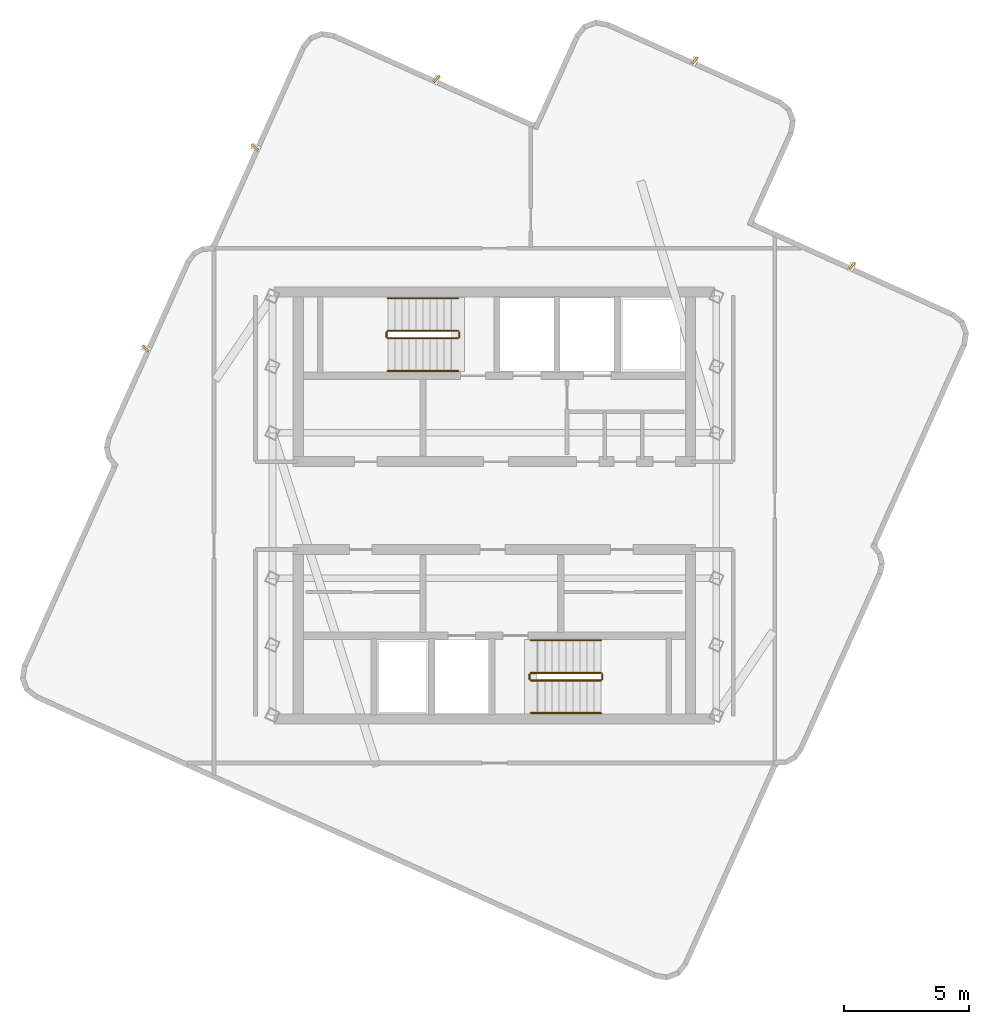
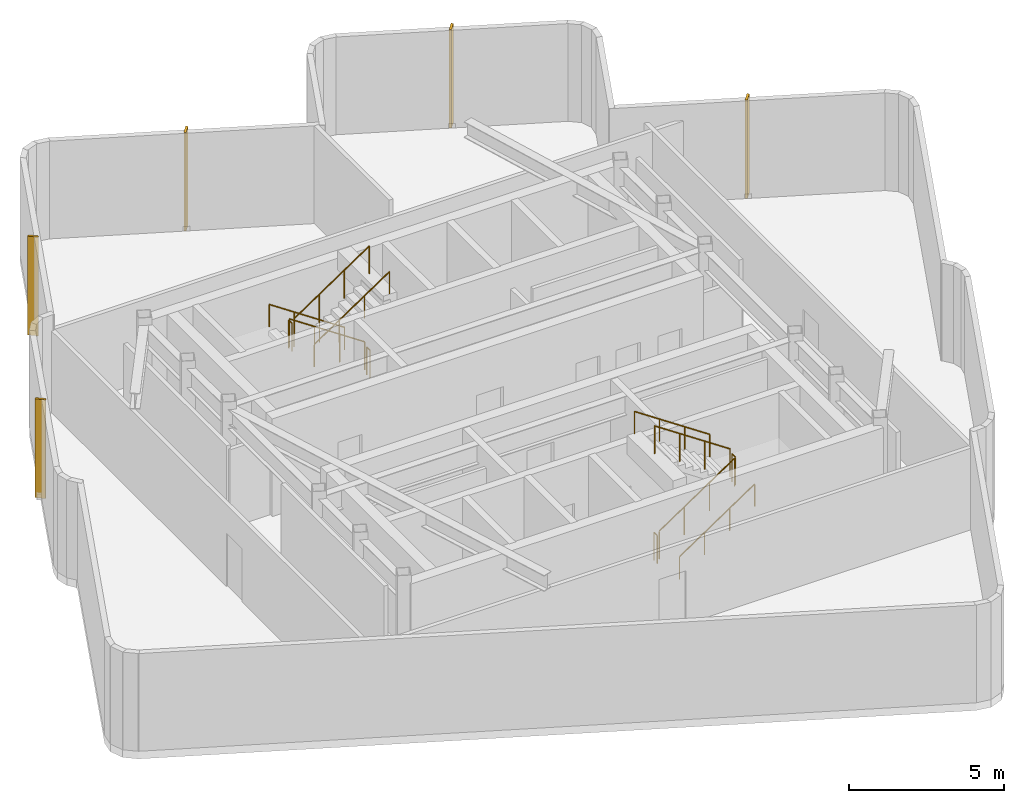
# One storey, part 4 of 4: 12 railings, 5 shading devices.
"""IFC4 building model written with IfcOpenShell, lengths in metres."""

import ifcopenshell
import ifcopenshell.guid

model = None  # the IFC model being written
_history = None  # IfcOwnerHistory: only IFC2X3 demands one
_inside = {}  # id of a spatial element -> (the spatial element, [elements in it])
_under = {}  # id of a project, library or spatial element -> (it, [spatial elements below it])
_declared = {}  # id of a project -> (the project, [libraries it declares])
_typed = {}  # id of a type object -> (the type object, [elements of that type])
_made_of = {}  # id of a material, layer set ... -> (it, [elements and type objects made of it])


def new_model(schema):
    """Start an empty IFC model of exactly this schema.

    Asked for "IFC4X3", IfcOpenShell would pick the latest addendum, in which some entities
    have other attributes; the version numbers below select the first issue.
    IFC2X3 requires an IfcOwnerHistory on every rooted entity: one is made here for all.
    """
    global model, _history
    if schema == "IFC4X3":
        model = ifcopenshell.file(schema_version=(4, 3, 0, 0))
    else:
        model = ifcopenshell.file(schema=schema)
    _inside.clear()
    _under.clear()
    _declared.clear()
    _typed.clear()
    _made_of.clear()
    _history = None
    if model.schema == "IFC2X3":
        org = make("IfcOrganization", Name="unknown")
        user = make(
            "IfcPersonAndOrganization",
            ThePerson=make("IfcPerson", FamilyName="unknown"),
            TheOrganization=org,
        )
        app = make(
            "IfcApplication",
            ApplicationDeveloper=org,
            Version="unknown",
            ApplicationFullName="unknown",
            ApplicationIdentifier="unknown",
        )
        _history = make(
            "IfcOwnerHistory",
            OwningUser=user,
            OwningApplication=app,
            ChangeAction="ADDED",
            CreationDate=0,
        )
    return model


def make(cls, **values):
    """One entity of the class cls with the attributes given. An attribute that is None is left unset."""
    return model.create_entity(
        cls, **{name: value for name, value in values.items() if value is not None}
    )


def rooted(cls, **values):
    """An entity with a GlobalId (a new one), such as an element, a storey or a relation."""
    return make(cls, GlobalId=ifcopenshell.guid.new(), OwnerHistory=_history, **values)


def si_unit(unit_type, name, prefix=None):
    """IfcSIUnit, for example si_unit("LENGTHUNIT", "METRE", prefix="MILLI")."""
    return make("IfcSIUnit", UnitType=unit_type, Prefix=prefix, Name=name)


def assignment(units):
    """IfcUnitAssignment: the units of a project."""
    return None if units is None else make("IfcUnitAssignment", Units=units)


def point(xyz):
    """IfcCartesianPoint."""
    return None if xyz is None else make("IfcCartesianPoint", Coordinates=xyz)


def direction(xyz):
    """IfcDirection."""
    return None if xyz is None else make("IfcDirection", DirectionRatios=xyz)


def frame(location, z_axis=None, x_axis=None):
    """IfcAxis2Placement3D, a coordinate frame: its origin and axes. An axis left out is left unset."""
    return make(
        "IfcAxis2Placement3D",
        Location=point(location),
        Axis=direction(z_axis),
        RefDirection=direction(x_axis),
    )


def frame_2d(location, x_axis=None):
    """IfcAxis2Placement2D, a coordinate frame in the plane: its origin and x axis."""
    return make(
        "IfcAxis2Placement2D", Location=point(location), RefDirection=direction(x_axis)
    )


def origin():
    """The frame at (0, 0, 0) with its axes left unset."""
    return frame((0.0, 0.0, 0.0))


def origin_2d():
    """The frame at (0, 0) in the plane with its x axis left unset."""
    return frame_2d((0.0, 0.0))


def place(relative_to, where):
    """IfcLocalPlacement: puts the frame where relative to a parent placement (None: the world)."""
    return make(
        "IfcLocalPlacement", PlacementRelTo=relative_to, RelativePlacement=where
    )


def context(
    kind, dimensions, precision=None, world=None, true_north=None, identifier=None
):
    """IfcGeometricRepresentationContext, for example the 3D "Model" context."""
    return make(
        "IfcGeometricRepresentationContext",
        ContextIdentifier=identifier,
        ContextType=kind,
        CoordinateSpaceDimension=dimensions,
        Precision=precision,
        WorldCoordinateSystem=world,
        TrueNorth=true_north,
    )


def subcontext(parent, identifier, kind, view, scale=None):
    """IfcGeometricRepresentationSubContext, for example "Body" below "Model"."""
    return make(
        "IfcGeometricRepresentationSubContext",
        ContextIdentifier=identifier,
        ContextType=kind,
        ParentContext=parent,
        TargetScale=scale,
        TargetView=view,
    )


def project(units=None, contexts=None):
    """IfcProject with its units and contexts."""
    return rooted(
        "IfcProject",
        Name="project",
        RepresentationContexts=contexts,
        UnitsInContext=assignment(units),
    )


def spatial(cls, under=None, at=None, **own):
    """A site, building, storey or space (cls), placed at a placement, below another one or the project."""
    s = rooted(cls, ObjectPlacement=at, **own)
    if under is not None:
        _under.setdefault(under.id(), (under, []))[1].append(s)
    return s


def profile(cls, at=None, kind="AREA", **sizes):
    """A parametric profile (cls). Its sizes go by their IFC names, for example OverallWidth=200.0."""
    return make(cls, ProfileType=kind, Position=at, **sizes)


def rectangle(**sizes):
    """IfcRectangleProfileDef."""
    return profile("IfcRectangleProfileDef", **sizes)


def circle(**sizes):
    """IfcCircleProfileDef."""
    return profile("IfcCircleProfileDef", **sizes)


def extrude(swept, where, along, depth):
    """IfcExtrudedAreaSolid: the profile swept, set in the frame where, extruded along a direction by depth."""
    return make(
        "IfcExtrudedAreaSolid",
        SweptArea=swept,
        Position=where,
        ExtrudedDirection=direction(along),
        Depth=depth,
    )


def shape(context_of_items, identifier, shape_type, items):
    """IfcShapeRepresentation: the items that make up one representation, for example the "Body"."""
    return make(
        "IfcShapeRepresentation",
        ContextOfItems=context_of_items,
        RepresentationIdentifier=identifier,
        RepresentationType=shape_type,
        Items=items,
    )


def material(Name=None, Category=None):
    """IfcMaterial."""
    return make("IfcMaterial", Name=Name, Category=Category)


def layer(
    of_material, thickness, ventilated=None, Name=None, Category=None, Priority=None
):
    """IfcMaterialLayer: one layer of a wall or slab, of a material (None: an air gap)."""
    return make(
        "IfcMaterialLayer",
        Material=of_material,
        LayerThickness=thickness,
        IsVentilated=ventilated,
        Name=Name,
        Category=Category,
        Priority=Priority,
    )


def layer_set(layers, Name=None):
    """IfcMaterialLayerSet."""
    return make("IfcMaterialLayerSet", MaterialLayers=layers, LayerSetName=Name)


def made_of(thing, what):
    """Note that an element or type object is made of a material, layer set ...; save() writes the relation."""
    if what is not None:
        _made_of.setdefault(what.id(), (what, []))[1].append(thing)
    return thing


def type_object(cls, material=None, **own):
    """A type object (cls), such as IfcWallType, which elements share."""
    return made_of(rooted(cls, **own), material)


def element(
    cls,
    number,
    at=None,
    inside=None,
    cuts=None,
    type_object=None,
    material=None,
    context=None,
    identifier="Body",
    shape_type=None,
    held_by="IfcProductDefinitionShape",
    body=None,
    shapes=None,
    **own,
):
    """One element of the class cls, such as IfcWall. Its Tag is "e" and its number.

    at: its placement. inside: the storey or other place that contains it. cuts: it is an
    opening in that element (IfcRelVoidsElement). A single representation is given by context,
    identifier, shape_type and body (its items); several are given by shapes. held_by: the class
    of the entity that holds the representations. save() writes the other relations.
    """
    e = rooted(cls, Tag="e%d" % number, ObjectPlacement=at, **own)
    if body is not None:
        shapes = [shape(context, identifier, shape_type, body)]
    if shapes is not None:
        e.Representation = make(held_by, Representations=shapes)
    if inside is not None:
        _inside.setdefault(inside.id(), (inside, []))[1].append(e)
    if cuts is not None:
        rooted(
            "IfcRelVoidsElement", RelatingBuildingElement=cuts, RelatedOpeningElement=e
        )
    if type_object is not None:
        _typed.setdefault(type_object.id(), (type_object, []))[1].append(e)
    return made_of(e, material)


def aggregate(whole, parts):
    """IfcRelAggregates: a whole, such as a stair, and the parts it consists of."""
    return rooted("IfcRelAggregates", RelatingObject=whole, RelatedObjects=parts)


def save(model, path):
    """Write the relations noted so far, then the file.

    IfcRelAggregates (storeys below a building ...), IfcRelContainedInSpatialStructure (elements
    in a storey), IfcRelDefinesByType, IfcRelAssociatesMaterial and IfcRelDeclares: one each for
    every whole, place, type object, material and project.
    """
    for whole, parts in _under.values():
        aggregate(whole, parts)
    for where, things in _inside.values():
        rooted(
            "IfcRelContainedInSpatialStructure",
            RelatedElements=things,
            RelatingStructure=where,
        )
    for kind, things in _typed.values():
        rooted("IfcRelDefinesByType", RelatedObjects=things, RelatingType=kind)
    for what, things in _made_of.values():
        rooted("IfcRelAssociatesMaterial", RelatedObjects=things, RelatingMaterial=what)
    for by, libraries in _declared.values():
        rooted("IfcRelDeclares", RelatingContext=by, RelatedDefinitions=libraries)
    model.write(path)


model = new_model("IFC4")

# Units and contexts
model_context = context("Model", 3, precision=1e-05, world=origin(), true_north=direction((0.0, 1.0)))
body_context = subcontext(model_context, "Body", "Model", "MODEL_VIEW")
ifc_project = project(units=[si_unit("LENGTHUNIT", "METRE"), si_unit("AREAUNIT", "SQUARE_METRE"), si_unit("VOLUMEUNIT", "CUBIC_METRE"), si_unit("PLANEANGLEUNIT", "RADIAN"), si_unit("MASSUNIT", "GRAM", prefix="KILO")], contexts=[model_context])

# Site, building, storey
site_placement = place(None, origin())
site = spatial("IfcSite", under=ifc_project, at=site_placement, CompositionType="ELEMENT")
building_placement = place(site_placement, origin())
building = spatial("IfcBuilding", under=site, at=building_placement, Name="Solmarez Civic Tower", CompositionType="ELEMENT")
storey_placement = place(building_placement, frame((0.0, 0.0, 297.5400390625)))
storey = spatial("IfcBuildingStorey", under=building, at=storey_placement, Name="L80 Crown", CompositionType="ELEMENT", Elevation=297.5400390625)

# Railings
ifc_material_1 = material(Name="Painted Steel Stairwell Safety Guard", Category="steel")
railing_type_1 = type_object("IfcRailingType", Name="GUARD-STAIR-1120", PredefinedType="BALUSTRADE", material=ifc_material_1)
railing_1_placement = place(storey_placement, frame((-1.449951171875, 6.969970703125, 0.188232421875)))
element("IfcRailing", 1, at=railing_1_placement, inside=storey, type_object=railing_type_1, Name="L80 Crown ST-1 stair guard 1", PredefinedType="BALUSTRADE", context=body_context, shape_type="SweptSolid", body=[
    extrude(circle(Radius=0.02392578125, at=origin_2d()), frame((0.0, 0.0, 1.09619140625), z_axis=(-0.829973695312, 0.0, 0.557802532345), x_axis=(0.0, -1.0, 0.0)), (0.0, 0.0, 1.0), 3.373779296875),
    extrude(circle(Radius=0.02099609375, at=origin_2d()), origin(), (0.0, 0.0, 1.0), 1.072021484375),
    extrude(circle(Radius=0.02099609375, at=origin_2d()), frame((-0.933349609375, 0.0, 0.627197265625)), (0.0, 0.0, 1.0), 1.072021484375),
    extrude(circle(Radius=0.02099609375, at=origin_2d()), frame((-1.86669921875, 0.0, 1.254638671875)), (0.0, 0.0, 1.0), 1.072021484375),
    extrude(circle(Radius=0.02099609375, at=origin_2d()), frame((-2.800048828125, 0.0, 1.8818359375)), (0.0, 0.0, 1.0), 1.072021484375),
])
railing_2_placement = place(storey_placement, frame((-4.300048828125, 6.919921875, 2.070068359375)))
element("IfcRailing", 2, at=railing_2_placement, inside=storey, type_object=railing_type_1, Name="L80 Crown ST-1 stair guard 2", PredefinedType="BALUSTRADE", context=body_context, shape_type="SweptSolid", body=[
    extrude(circle(Radius=0.02392578125, at=origin_2d()), frame((0.0, 0.0, 1.09619140625), z_axis=(0.0, -1.0, 0.0), x_axis=(1.0, 0.0, 0.0)), (0.0, 0.0, 1.0), 0.199951171875),
    extrude(circle(Radius=0.02099609375, at=origin_2d()), origin(), (0.0, 0.0, 1.0), 1.072021484375),
    extrude(circle(Radius=0.02099609375, at=origin_2d()), frame((0.0, -0.199951171875, 0.0)), (0.0, 0.0, 1.0), 1.072021484375),
])
railing_3_placement = place(storey_placement, frame((-4.25, 6.669921875, 2.258056640625)))
element("IfcRailing", 3, at=railing_3_placement, inside=storey, type_object=railing_type_1, Name="L80 Crown ST-1 stair guard 3", PredefinedType="BALUSTRADE", context=body_context, shape_type="SweptSolid", body=[
    extrude(circle(Radius=0.02392578125, at=origin_2d()), frame((0.0, 0.0, 1.09619140625), z_axis=(0.829973695312, 0.0, 0.557802532345), x_axis=(0.0, 1.0, 0.0)), (0.0, 0.0, 1.0), 3.373779296875),
    extrude(circle(Radius=0.02099609375, at=origin_2d()), origin(), (0.0, 0.0, 1.0), 1.072021484375),
    extrude(circle(Radius=0.02099609375, at=origin_2d()), frame((0.933349609375, 0.0, 0.627197265625)), (0.0, 0.0, 1.0), 1.072021484375),
    extrude(circle(Radius=0.02099609375, at=origin_2d()), frame((1.86669921875, 0.0, 1.254638671875)), (0.0, 0.0, 1.0), 1.072021484375),
    extrude(circle(Radius=0.02099609375, at=origin_2d()), frame((2.800048828125, 0.0, 1.8818359375)), (0.0, 0.0, 1.0), 1.072021484375),
])
railing_4_placement = place(storey_placement, frame((-1.39990234375, 6.919921875, 0.0)))
element("IfcRailing", 4, at=railing_4_placement, inside=storey, type_object=railing_type_1, Name="L80 Crown ST-1 stair guard 4", PredefinedType="BALUSTRADE", context=body_context, shape_type="SweptSolid", body=[
    extrude(circle(Radius=0.02392578125, at=origin_2d()), frame((0.0, 0.0, 1.09619140625), z_axis=(0.0, -1.0, 0.0), x_axis=(1.0, 0.0, 0.0)), (0.0, 0.0, 1.0), 0.199951171875),
    extrude(circle(Radius=0.02099609375, at=origin_2d()), origin(), (0.0, 0.0, 1.0), 1.072021484375),
    extrude(circle(Radius=0.02099609375, at=origin_2d()), frame((0.0, -0.199951171875, 0.0)), (0.0, 0.0, 1.0), 1.072021484375),
])
railing_5_placement = place(storey_placement, frame((1.449951171875, -6.969970703125, 0.188232421875)))
element("IfcRailing", 5, at=railing_5_placement, inside=storey, type_object=railing_type_1, Name="L80 Crown ST-2 stair guard 1", PredefinedType="BALUSTRADE", context=body_context, shape_type="SweptSolid", body=[
    extrude(circle(Radius=0.02392578125, at=origin_2d()), frame((0.0, 0.0, 1.09619140625), z_axis=(0.829973695312, 0.0, 0.557802532345), x_axis=(0.0, 1.0, 0.0)), (0.0, 0.0, 1.0), 3.373779296875),
    extrude(circle(Radius=0.02099609375, at=origin_2d()), origin(), (0.0, 0.0, 1.0), 1.072021484375),
    extrude(circle(Radius=0.02099609375, at=origin_2d()), frame((0.933349609375, 0.0, 0.627197265625)), (0.0, 0.0, 1.0), 1.072021484375),
    extrude(circle(Radius=0.02099609375, at=origin_2d()), frame((1.86669921875, 0.0, 1.254638671875)), (0.0, 0.0, 1.0), 1.072021484375),
    extrude(circle(Radius=0.02099609375, at=origin_2d()), frame((2.800048828125, 0.0, 1.8818359375)), (0.0, 0.0, 1.0), 1.072021484375),
])
railing_6_placement = place(storey_placement, frame((4.300048828125, -6.919921875, 2.070068359375)))
element("IfcRailing", 6, at=railing_6_placement, inside=storey, type_object=railing_type_1, Name="L80 Crown ST-2 stair guard 2", PredefinedType="BALUSTRADE", context=body_context, shape_type="SweptSolid", body=[
    extrude(circle(Radius=0.02392578125, at=origin_2d()), frame((0.0, 0.0, 1.09619140625), z_axis=(0.0, 1.0, 0.0), x_axis=(-1.0, 0.0, 0.0)), (0.0, 0.0, 1.0), 0.199951171875),
    extrude(circle(Radius=0.02099609375, at=origin_2d()), origin(), (0.0, 0.0, 1.0), 1.072021484375),
    extrude(circle(Radius=0.02099609375, at=origin_2d()), frame((0.0, 0.199951171875, 0.0)), (0.0, 0.0, 1.0), 1.072021484375),
])
railing_7_placement = place(storey_placement, frame((4.25, -6.669921875, 2.258056640625)))
element("IfcRailing", 7, at=railing_7_placement, inside=storey, type_object=railing_type_1, Name="L80 Crown ST-2 stair guard 3", PredefinedType="BALUSTRADE", context=body_context, shape_type="SweptSolid", body=[
    extrude(circle(Radius=0.02392578125, at=origin_2d()), frame((0.0, 0.0, 1.09619140625), z_axis=(-0.829973695312, 0.0, 0.557802532345), x_axis=(0.0, -1.0, 0.0)), (0.0, 0.0, 1.0), 3.373779296875),
    extrude(circle(Radius=0.02099609375, at=origin_2d()), origin(), (0.0, 0.0, 1.0), 1.072021484375),
    extrude(circle(Radius=0.02099609375, at=origin_2d()), frame((-0.933349609375, 0.0, 0.627197265625)), (0.0, 0.0, 1.0), 1.072021484375),
    extrude(circle(Radius=0.02099609375, at=origin_2d()), frame((-1.86669921875, 0.0, 1.254638671875)), (0.0, 0.0, 1.0), 1.072021484375),
    extrude(circle(Radius=0.02099609375, at=origin_2d()), frame((-2.800048828125, 0.0, 1.8818359375)), (0.0, 0.0, 1.0), 1.072021484375),
])
railing_8_placement = place(storey_placement, frame((1.39990234375, -6.919921875, 0.0)))
element("IfcRailing", 8, at=railing_8_placement, inside=storey, type_object=railing_type_1, Name="L80 Crown ST-2 stair guard 4", PredefinedType="BALUSTRADE", context=body_context, shape_type="SweptSolid", body=[
    extrude(circle(Radius=0.02392578125, at=origin_2d()), frame((0.0, 0.0, 1.09619140625), z_axis=(0.0, 1.0, 0.0), x_axis=(-1.0, 0.0, 0.0)), (0.0, 0.0, 1.0), 0.199951171875),
    extrude(circle(Radius=0.02099609375, at=origin_2d()), origin(), (0.0, 0.0, 1.0), 1.072021484375),
    extrude(circle(Radius=0.02099609375, at=origin_2d()), frame((0.0, 0.199951171875, 0.0)), (0.0, 0.0, 1.0), 1.072021484375),
])
ifc_material_2 = material(Name="Brushed Stainless Steel Tube Handrail", Category="steel")
railing_type_2 = type_object("IfcRailingType", Name="HANDRAIL-STAIR-900", PredefinedType="HANDRAIL", material=ifc_material_2)
railing_9_placement = place(storey_placement, frame((-1.449951171875, 8.27001953125, 0.188232421875)))
element("IfcRailing", 9, at=railing_9_placement, inside=storey, type_object=railing_type_2, Name="L80 Crown ST-1 stair handrail 1", PredefinedType="HANDRAIL", context=body_context, shape_type="SweptSolid", body=[
    extrude(circle(Radius=0.02392578125, at=origin_2d()), frame((0.0, 0.0, 0.8759765625), z_axis=(-0.829973695312, 0.0, 0.557802532345), x_axis=(0.0, -1.0, 0.0)), (0.0, 0.0, 1.0), 3.373779296875),
    extrude(circle(Radius=0.02099609375, at=origin_2d()), origin(), (0.0, 0.0, 1.0), 0.851806640625),
    extrude(circle(Radius=0.02099609375, at=origin_2d()), frame((-0.933349609375, 0.0, 0.627197265625)), (0.0, 0.0, 1.0), 0.851806640625),
    extrude(circle(Radius=0.02099609375, at=origin_2d()), frame((-1.86669921875, 0.0, 1.254638671875)), (0.0, 0.0, 1.0), 0.851806640625),
    extrude(circle(Radius=0.02099609375, at=origin_2d()), frame((-2.800048828125, 0.0, 1.8818359375)), (0.0, 0.0, 1.0), 0.851806640625),
])
for number, where, name in (
    (10, (-4.25, 5.3701171875, 2.258056640625), "L80 Crown ST-1 stair handrail 2"),
    (11, (1.449951171875, -8.27001953125, 0.188232421875), "L80 Crown ST-2 stair handrail 1"),
):
    element("IfcRailing", number, at=place(storey_placement, frame(where)), inside=storey, type_object=railing_type_2, Name=name, PredefinedType="HANDRAIL", context=body_context, shape_type="SweptSolid", body=[
        extrude(circle(Radius=0.02392578125, at=origin_2d()), frame((0.0, 0.0, 0.8759765625), z_axis=(0.829973695312, 0.0, 0.557802532345), x_axis=(0.0, 1.0, 0.0)), (0.0, 0.0, 1.0), 3.373779296875),
        extrude(circle(Radius=0.02099609375, at=origin_2d()), origin(), (0.0, 0.0, 1.0), 0.851806640625),
        extrude(circle(Radius=0.02099609375, at=origin_2d()), frame((0.933349609375, 0.0, 0.627197265625)), (0.0, 0.0, 1.0), 0.851806640625),
        extrude(circle(Radius=0.02099609375, at=origin_2d()), frame((1.86669921875, 0.0, 1.254638671875)), (0.0, 0.0, 1.0), 0.851806640625),
        extrude(circle(Radius=0.02099609375, at=origin_2d()), frame((2.800048828125, 0.0, 1.8818359375)), (0.0, 0.0, 1.0), 0.851806640625),
    ])
railing_10_placement = place(storey_placement, frame((4.25, -5.3701171875, 2.258056640625)))
element("IfcRailing", 12, at=railing_10_placement, inside=storey, type_object=railing_type_2, Name="L80 Crown ST-2 stair handrail 2", PredefinedType="HANDRAIL", context=body_context, shape_type="SweptSolid", body=[
    extrude(circle(Radius=0.02392578125, at=origin_2d()), frame((0.0, 0.0, 0.8759765625), z_axis=(-0.829973695312, 0.0, 0.557802532345), x_axis=(0.0, -1.0, 0.0)), (0.0, 0.0, 1.0), 3.373779296875),
    extrude(circle(Radius=0.02099609375, at=origin_2d()), origin(), (0.0, 0.0, 1.0), 0.851806640625),
    extrude(circle(Radius=0.02099609375, at=origin_2d()), frame((-0.933349609375, 0.0, 0.627197265625)), (0.0, 0.0, 1.0), 0.851806640625),
    extrude(circle(Radius=0.02099609375, at=origin_2d()), frame((-1.86669921875, 0.0, 1.254638671875)), (0.0, 0.0, 1.0), 0.851806640625),
    extrude(circle(Radius=0.02099609375, at=origin_2d()), frame((-2.800048828125, 0.0, 1.8818359375)), (0.0, 0.0, 1.0), 0.851806640625),
])

# Shading devices
ifc_material_3 = material(Name="Bronze Anodised Aluminium EN AW-6063 T6", Category="aluminium")
ifc_layer = layer(ifc_material_3, 0.080078125)
ifc_layer_set = layer_set([ifc_layer], Name="Bronze Anodised Aluminium EN AW-6063 T6")
shading_device_type = type_object("IfcShadingDeviceType", Name="LOUVRE-PLANT-1", PredefinedType="USERDEFINED", material=ifc_layer_set)
for number, where, z_axis, x_axis, name in (
    (13, (-13.907958984375, 6.261962890625, -0.0400390625), (0.0, 0.0, 1.0), (-0.770056914498, 0.637975194215, 0.0), "L80 Crown Acoustic Plant Louvre LVR-L80 Crown-01"),
    (14, (-9.550048828125, 14.2900390625, -0.0400390625), (0.0, 0.0, 1.0), (-0.770056914498, 0.637975194215, 0.0), "L80 Crown Acoustic Plant Louvre LVR-L80 Crown-02"),
    (15, (-2.2958984375, 17.01806640625, -0.0400390625), (0.0, 0.0, 1.0), (0.637988634146, 0.770045779613, 0.0), "L80 Crown Acoustic Plant Louvre LVR-L80 Crown-03"),
    (16, (7.990966796875, 17.7490234375, -0.0400390625), (0.0, 0.0, 1.0), (0.637921432546, 0.770101451692, 0.0), "L80 Crown Acoustic Plant Louvre LVR-L80 Crown-04"),
    (17, (14.263916015625, 9.56201171875, -0.0400390625), (0.0, 0.0, 1.0), (0.637988634146, 0.770045779613, 0.0), "L80 Crown Acoustic Plant Louvre LVR-L80 Crown-05"),
):
    element("IfcShadingDevice", number, at=place(storey_placement, frame(where, z_axis=z_axis, x_axis=x_axis)), inside=storey, type_object=shading_device_type, Name=name, ObjectType="LOUVRE", PredefinedType="USERDEFINED", context=body_context, shape_type="SweptSolid", body=[
        extrude(rectangle(XDim=0.35009765625, YDim=0.080078125, at=origin_2d()), origin(), (0.0, 0.0, 1.0), 3.8798828125),
    ])

save(model, "model.ifc")
